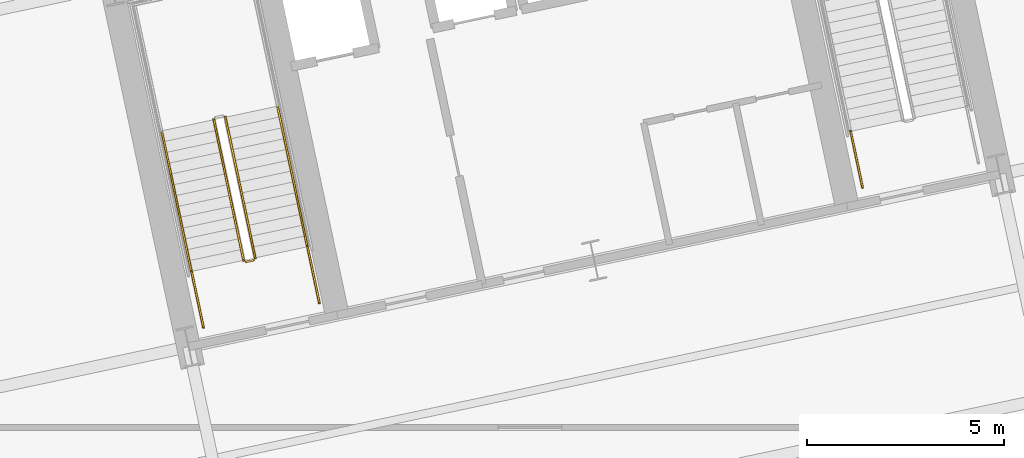
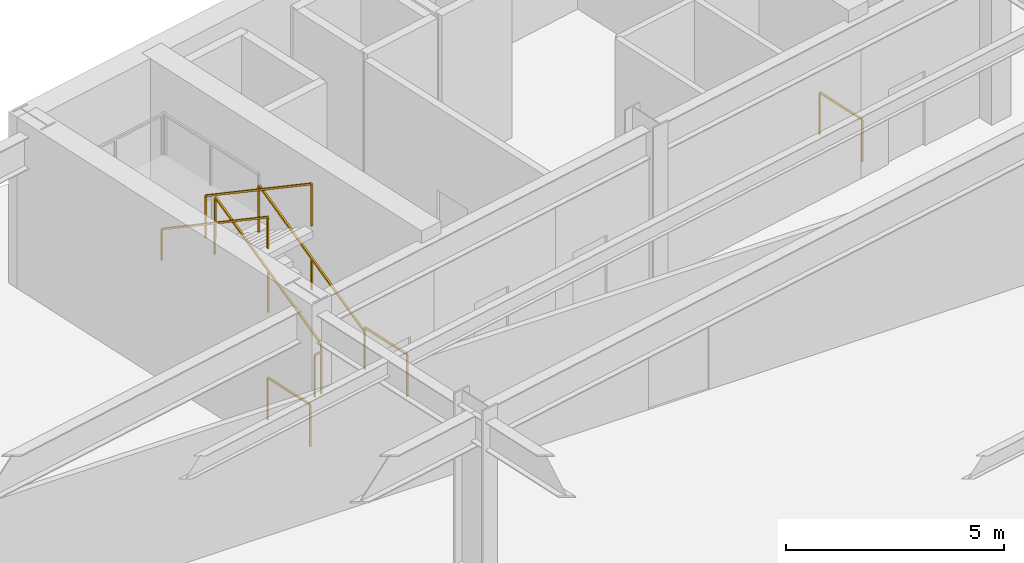
# One storey, part 32 of 35: 8 railings.
"""IFC4 building model written with IfcOpenShell, lengths in metres."""

from ifc_helpers import new_model, si_unit, direction, frame, origin, origin_2d, place, context, subcontext, project, spatial, rectangle, extrude, material, type_object, element, save


model = new_model("IFC4")

# Units and contexts
model_context = context("Model", 3, precision=1e-05, world=origin(), true_north=direction((0.0, 1.0)))
body_context = subcontext(model_context, "Body", "Model", "MODEL_VIEW")
ifc_project = project(units=[si_unit("LENGTHUNIT", "METRE"), si_unit("AREAUNIT", "SQUARE_METRE"), si_unit("VOLUMEUNIT", "CUBIC_METRE"), si_unit("PLANEANGLEUNIT", "RADIAN"), si_unit("MASSUNIT", "GRAM", prefix="KILO")], contexts=[model_context])

# Site, building, storey
site_placement = place(None, origin())
site = spatial("IfcSite", under=ifc_project, at=site_placement, CompositionType="ELEMENT")
building_placement = place(site_placement, origin())
building = spatial("IfcBuilding", under=site, at=building_placement, Name="Haevon Station Towers", CompositionType="ELEMENT")
storey_placement = place(building_placement, frame((0.0, 0.0, 20.39990234375)))
storey = spatial("IfcBuildingStorey", under=building, at=storey_placement, Name="L04", CompositionType="ELEMENT", Elevation=20.39990234375)

# Railings
ifc_material = material(Name="Steel S355", Category="steel")
railing_type_1 = type_object("IfcRailingType", Name="GRD-STR1200", PredefinedType="GUARDRAIL", material=ifc_material)
railing_1_placement = place(storey_placement, frame((100.44140625, 39.69287109375, 0.171630859375)))
element("IfcRailing", 1, at=railing_1_placement, inside=storey, type_object=railing_type_1, Name="L04 ST3 Stair Guard 1", PredefinedType="GUARDRAIL", context=body_context, shape_type="SweptSolid", body=[
    extrude(rectangle(XDim=0.048095703125, YDim=0.048095703125, at=origin_2d()), frame((0.0, 0.0, 1.17578125), z_axis=(-0.17733280689, 0.834207846092, 0.522159310096), x_axis=(-0.978143676638, -0.20793015138, 0.0)), (0.0, 0.0, 1.0), 4.267822265625),
    extrude(rectangle(XDim=0.0419921875, YDim=0.0419921875, at=origin_2d()), origin(), (0.0, 0.0, 1.0), 1.15185546875),
    extrude(rectangle(XDim=0.0419921875, YDim=0.0419921875, at=origin_2d()), frame((-0.37841796875, 1.7802734375, 1.1142578125)), (0.0, 0.0, 1.0), 1.15185546875),
    extrude(rectangle(XDim=0.0419921875, YDim=0.0419921875, at=origin_2d()), frame((-0.7568359375, 3.560302734375, 2.228515625)), (0.0, 0.0, 1.0), 1.15185546875),
])
railing_2_placement = place(storey_placement, frame((99.39111328125, 43.19091796875, 2.571533203125)))
element("IfcRailing", 2, at=railing_2_placement, inside=storey, type_object=railing_type_1, Name="L04 ST3 Stair Guard 6", PredefinedType="GUARDRAIL", context=body_context, shape_type="SweptSolid", body=[
    extrude(rectangle(XDim=0.048095703125, YDim=0.048095703125, at=origin_2d()), frame((0.0, 0.0, 1.17578125), z_axis=(0.177324344861, -0.834225240467, 0.522134393512), x_axis=(0.978146576304, 0.207916510322, 0.0)), (0.0, 0.0, 1.0), 4.26806640625),
    extrude(rectangle(XDim=0.0419921875, YDim=0.0419921875, at=origin_2d()), origin(), (0.0, 0.0, 1.0), 1.15185546875),
    extrude(rectangle(XDim=0.0419921875, YDim=0.0419921875, at=origin_2d()), frame((0.37841796875, -1.7802734375, 1.1142578125)), (0.0, 0.0, 1.0), 1.15185546875),
    extrude(rectangle(XDim=0.0419921875, YDim=0.0419921875, at=origin_2d()), frame((0.7568359375, -3.560546875, 2.228515625)), (0.0, 0.0, 1.0), 1.15185546875),
])
railing_3_placement = place(storey_placement, frame((100.40283203125, 39.633544921875, 0.0)))
element("IfcRailing", 3, at=railing_3_placement, inside=storey, type_object=railing_type_1, Name="L04 ST3 Stair Guard 7", PredefinedType="GUARDRAIL", context=body_context, shape_type="SweptSolid", body=[
    extrude(rectangle(XDim=0.048095703125, YDim=0.048095703125, at=origin_2d()), frame((0.0, 0.0, 1.17578125), z_axis=(-0.977962931203, -0.208778603291, 0.0), x_axis=(0.208778603291, -0.977962931203, 0.0)), (0.0, 0.0, 1.0), 0.199951171875),
    extrude(rectangle(XDim=0.0419921875, YDim=0.0419921875, at=origin_2d()), origin(), (0.0, 0.0, 1.0), 1.15185546875),
    extrude(rectangle(XDim=0.0419921875, YDim=0.0419921875, at=origin_2d()), frame((-0.195556640625, -0.041748046875, 0.0)), (0.0, 0.0, 1.0), 1.15185546875),
])
for number, where, name in (
    (4, (102.0634765625, 38.55517578125, 0.0), "L04 ST3 Stair Guard 8"),
    (5, (99.12890625, 37.931396484375, 0.0), "L04 ST3 Stair Guard 9"),
):
    element("IfcRailing", number, at=place(storey_placement, frame(where)), inside=storey, type_object=railing_type_1, Name=name, PredefinedType="GUARDRAIL", context=body_context, shape_type="SweptSolid", body=[
        extrude(rectangle(XDim=0.048095703125, YDim=0.048095703125, at=origin_2d()), frame((0.0, 0.0, 1.17578125), z_axis=(-0.207953405961, 0.978138732977, 0.0), x_axis=(-0.978138732977, -0.207953405961, 0.0)), (0.0, 0.0, 1.0), 1.449951171875),
        extrude(rectangle(XDim=0.0419921875, YDim=0.0419921875, at=origin_2d()), origin(), (0.0, 0.0, 1.0), 1.15185546875),
        extrude(rectangle(XDim=0.0419921875, YDim=0.0419921875, at=origin_2d()), frame((-0.301513671875, 1.418212890625, 0.0)), (0.0, 0.0, 1.0), 1.15185546875),
    ])
railing_4_placement = place(storey_placement, frame((115.816162109375, 41.478271484375, 0.0)))
element("IfcRailing", 6, at=railing_4_placement, inside=storey, type_object=railing_type_1, Name="L04 ST4 Stair Guard 9", PredefinedType="GUARDRAIL", context=body_context, shape_type="SweptSolid", body=[
    extrude(rectangle(XDim=0.048095703125, YDim=0.048095703125, at=origin_2d()), frame((0.0, 0.0, 1.17578125), z_axis=(-0.207919161079, 0.978146012851, 0.0), x_axis=(-0.978146012851, -0.207919161079, 0.0)), (0.0, 0.0, 1.0), 1.4501953125),
    extrude(rectangle(XDim=0.0419921875, YDim=0.0419921875, at=origin_2d()), origin(), (0.0, 0.0, 1.0), 1.15185546875),
    extrude(rectangle(XDim=0.0419921875, YDim=0.0419921875, at=origin_2d()), frame((-0.301513671875, 1.41845703125, 0.0)), (0.0, 0.0, 1.0), 1.15185546875),
])
railing_type_2 = type_object("IfcRailingType", Name="HND-STR900", PredefinedType="HANDRAIL", material=ifc_material)
railing_5_placement = place(storey_placement, frame((101.761962890625, 39.973388671875, 0.171630859375)))
element("IfcRailing", 7, at=railing_5_placement, inside=storey, type_object=railing_type_2, Name="L04 ST3 Stair Handrail 1", PredefinedType="HANDRAIL", context=body_context, shape_type="SweptSolid", body=[
    extrude(rectangle(XDim=0.048095703125, YDim=0.048095703125, at=origin_2d()), frame((0.0, 0.0, 0.8759765625), z_axis=(-0.177324344861, 0.834225240467, 0.522134393512), x_axis=(-0.978146576304, -0.207916510322, 0.0)), (0.0, 0.0, 1.0), 4.26806640625),
    extrude(rectangle(XDim=0.0419921875, YDim=0.0419921875, at=origin_2d()), origin(), (0.0, 0.0, 1.0), 0.851806640625),
    extrude(rectangle(XDim=0.0419921875, YDim=0.0419921875, at=origin_2d()), frame((-0.37841796875, 1.7802734375, 1.1142578125)), (0.0, 0.0, 1.0), 0.851806640625),
    extrude(rectangle(XDim=0.0419921875, YDim=0.0419921875, at=origin_2d()), frame((-0.7568359375, 3.560546875, 2.228515625)), (0.0, 0.0, 1.0), 0.851806640625),
])
railing_6_placement = place(storey_placement, frame((98.070556640625, 42.91015625, 2.571533203125)))
element("IfcRailing", 8, at=railing_6_placement, inside=storey, type_object=railing_type_2, Name="L04 ST3 Stair Handrail 2", PredefinedType="HANDRAIL", context=body_context, shape_type="SweptSolid", body=[
    extrude(rectangle(XDim=0.048095703125, YDim=0.048095703125, at=origin_2d()), frame((0.0, 0.0, 0.8759765625), z_axis=(0.177324344861, -0.834225240467, 0.522134393512), x_axis=(0.978146576304, 0.207916510322, 0.0)), (0.0, 0.0, 1.0), 4.26806640625),
    extrude(rectangle(XDim=0.0419921875, YDim=0.0419921875, at=origin_2d()), origin(), (0.0, 0.0, 1.0), 0.851806640625),
    extrude(rectangle(XDim=0.0419921875, YDim=0.0419921875, at=origin_2d()), frame((0.37841796875, -1.7802734375, 1.1142578125)), (0.0, 0.0, 1.0), 0.851806640625),
    extrude(rectangle(XDim=0.0419921875, YDim=0.0419921875, at=origin_2d()), frame((0.7568359375, -3.560546875, 2.228515625)), (0.0, 0.0, 1.0), 0.851806640625),
])

save(model, "model.ifc")
